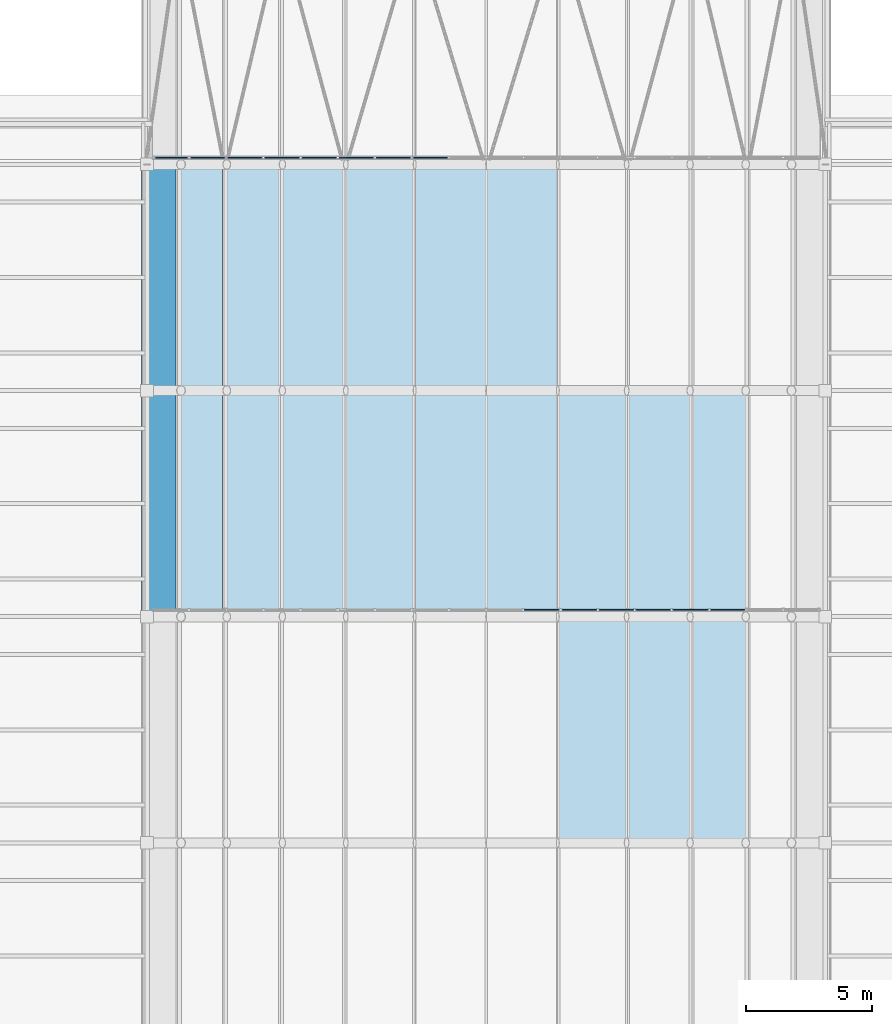
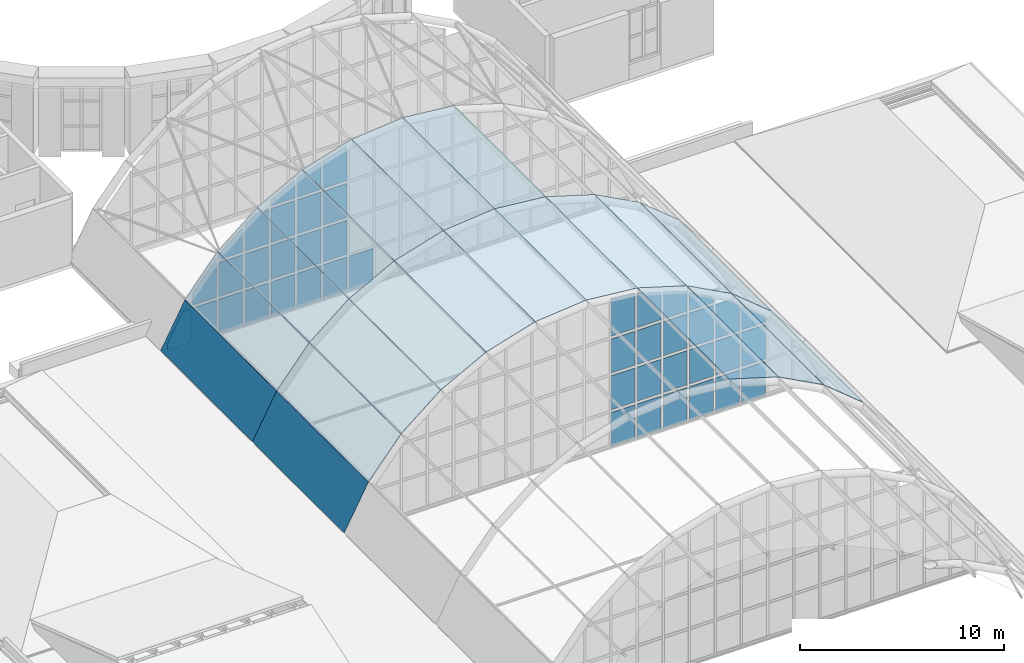
# One storey, part 78 of 121: 64 plates, 2 elements without a shape of their own.
"""IFC4 building model written with IfcOpenShell, lengths in metres."""

from ifc_helpers import new_model, si_unit, direction, frame, origin, place, context, subcontext, project, spatial, polyline, outline, extrude, material, layer, layer_set, type_object, element, aggregate, save


model = new_model("IFC4")

# Units and contexts
model_context = context("Model", 3, precision=1e-05, world=origin(), true_north=direction((0.0, 1.0)))
body_context = subcontext(model_context, "Body", "Model", "MODEL_VIEW")
ifc_project = project(units=[si_unit("LENGTHUNIT", "METRE"), si_unit("AREAUNIT", "SQUARE_METRE"), si_unit("VOLUMEUNIT", "CUBIC_METRE"), si_unit("PLANEANGLEUNIT", "RADIAN"), si_unit("MASSUNIT", "GRAM", prefix="KILO")], contexts=[model_context])

# Site, building, storey
site_placement = place(None, origin())
site = spatial("IfcSite", under=ifc_project, at=site_placement, CompositionType="ELEMENT")
building_placement = place(site_placement, origin())
building = spatial("IfcBuilding", under=site, at=building_placement, Name="Golden Quay Civic Hall", CompositionType="ELEMENT")
storey_placement = place(building_placement, frame((0.0, 0.0, 18.60009765625)))
storey = spatial("IfcBuildingStorey", under=building, at=storey_placement, Name="L04", CompositionType="ELEMENT", Elevation=18.60009765625)

# Curtain wall, plates
ifc_material_1 = material(Name="Fire-resisting glass and steel", Category="steel")
curtain_wall_type = type_object("IfcCurtainWallType", Name="Fire-resisting glazed curtain wall EI 120", PredefinedType="NOTDEFINED", material=ifc_material_1)
curtain_wall_1_placement = place(storey_placement, origin())
curtain_wall_1 = element("IfcCurtainWall", 1, at=curtain_wall_1_placement, inside=storey, type_object=curtain_wall_type, Name="Curtain wall tympanum fire2", PredefinedType="NOTDEFINED")
ifc_material_2 = material(Name="Fire-resisting laminated glass", Category="glass")
ifc_layer_1 = layer(ifc_material_2, 0.0400390625)
ifc_layer_set_1 = layer_set([ifc_layer_1], Name="Fire-resisting glazed panel 40")
plate_type_1 = type_object("IfcPlateType", Name="Fire-resisting glazed panel 40", PredefinedType="CURTAIN_PANEL", material=ifc_layer_set_1)
plate_1_placement = place(storey_placement, frame((88.3955078125, 36.2900390625, -0.130126953125), z_axis=(0.0, 1.0, 0.0), x_axis=(-1.0, 0.0, 0.0)))
plate_1 = element("IfcPlate", 2, at=plate_1_placement, type_object=plate_type_1, Name="Tympanum glass 11.1", PredefinedType="CURTAIN_PANEL", context=body_context, shape_type="SweptSolid", body=[
    extrude(outline(polyline([(0.0, 0.0), (1.357666015625, 0.0), (1.357666015625, 2.02001953125), (0.0, 2.02001953125), (0.0, 0.0)])), origin(), (0.0, 0.0, -1.0), 0.0400390625),
])
plate_2_placement = place(storey_placement, frame((88.3955078125, 36.2900390625, 2.06982421875), z_axis=(0.0, 1.0, 0.0), x_axis=(-1.0, 0.0, 0.0)))
plate_2 = element("IfcPlate", 3, at=plate_2_placement, type_object=plate_type_1, Name="Tympanum glass 11.2", PredefinedType="CURTAIN_PANEL", context=body_context, shape_type="SweptSolid", body=[
    extrude(outline(polyline([(0.0, 0.0), (1.357666015625, 0.0), (1.357666015625, 2.02001953125), (0.0, 2.02001953125), (0.0, 0.0)])), origin(), (0.0, 0.0, -1.0), 0.0400390625),
])
plate_3_placement = place(storey_placement, frame((88.3955078125, 36.2900390625, 4.27001953125), z_axis=(0.0, 1.0, 0.0), x_axis=(-1.0, 0.0, 0.0)))
plate_3 = element("IfcPlate", 4, at=plate_3_placement, type_object=plate_type_1, Name="Tympanum glass 11.3", PredefinedType="CURTAIN_PANEL", context=body_context, shape_type="SweptSolid", body=[
    extrude(outline(polyline([(0.0, 0.0), (1.357666015625, 0.0), (1.357666015625, 2.019775390625), (0.0, 2.019775390625), (0.0, 0.0)])), origin(), (0.0, 0.0, -1.0), 0.0400390625),
])
plate_4_placement = place(storey_placement, frame((88.3955078125, 36.2900390625, 6.469970703125), z_axis=(0.0, 1.0, 0.0), x_axis=(-1.0, 0.0, 0.0)))
plate_4 = element("IfcPlate", 5, at=plate_4_placement, type_object=plate_type_1, Name="Tympanum glass 11.4", PredefinedType="CURTAIN_PANEL", context=body_context, shape_type="SweptSolid", body=[
    extrude(outline(polyline([(0.0, 0.0), (1.357666015625, 0.0), (1.357666015625, 2.254638671875), (0.04736328125, 2.125732421875), (0.0, 2.103271484375), (0.0, 0.0)])), origin(), (0.0, 0.0, -1.0), 0.0400390625),
])
plate_5_placement = place(storey_placement, frame((89.873291015625, 36.2900390625, -0.130126953125), z_axis=(0.0, 1.0, 0.0), x_axis=(-1.0, 0.0, 0.0)))
plate_5 = element("IfcPlate", 6, at=plate_5_placement, type_object=plate_type_1, Name="Tympanum glass 12.1", PredefinedType="CURTAIN_PANEL", context=body_context, shape_type="SweptSolid", body=[
    extrude(outline(polyline([(0.0, 0.0), (1.357666015625, 0.0), (1.357666015625, 2.02001953125), (0.0, 2.02001953125), (0.0, 0.0)])), origin(), (0.0, 0.0, -1.0), 0.0400390625),
])
plate_6_placement = place(storey_placement, frame((89.873291015625, 36.2900390625, 2.06982421875), z_axis=(0.0, 1.0, 0.0), x_axis=(-1.0, 0.0, 0.0)))
plate_6 = element("IfcPlate", 7, at=plate_6_placement, type_object=plate_type_1, Name="Tympanum glass 12.2", PredefinedType="CURTAIN_PANEL", context=body_context, shape_type="SweptSolid", body=[
    extrude(outline(polyline([(0.0, 0.0), (1.357666015625, 0.0), (1.357666015625, 2.02001953125), (0.0, 2.02001953125), (0.0, 0.0)])), origin(), (0.0, 0.0, -1.0), 0.0400390625),
])
plate_7_placement = place(storey_placement, frame((89.873291015625, 36.2900390625, 4.27001953125), z_axis=(0.0, 1.0, 0.0), x_axis=(-1.0, 0.0, 0.0)))
plate_7 = element("IfcPlate", 8, at=plate_7_placement, type_object=plate_type_1, Name="Tympanum glass 12.3", PredefinedType="CURTAIN_PANEL", context=body_context, shape_type="SweptSolid", body=[
    extrude(outline(polyline([(0.0, 0.0), (1.357666015625, 0.0), (1.357666015625, 2.019775390625), (0.0, 2.019775390625), (0.0, 0.0)])), origin(), (0.0, 0.0, -1.0), 0.0400390625),
])
plate_8_placement = place(storey_placement, frame((89.873291015625, 36.2900390625, 6.469970703125), z_axis=(0.0, 1.0, 0.0), x_axis=(-1.0, 0.0, 0.0)))
plate_8 = element("IfcPlate", 9, at=plate_8_placement, type_object=plate_type_1, Name="Tympanum glass 12.4", PredefinedType="CURTAIN_PANEL", context=body_context, shape_type="SweptSolid", body=[
    extrude(outline(polyline([(0.0, 0.0), (1.357666015625, 0.0), (1.357666015625, 2.06689453125), (0.0, 1.65576171875), (0.0, 0.0)])), origin(), (0.0, 0.0, -1.0), 0.0400390625),
])
plate_9_placement = place(storey_placement, frame((91.35107421875, 36.2900390625, -0.130126953125), z_axis=(0.0, 1.0, 0.0), x_axis=(-1.0, 0.0, 0.0)))
plate_9 = element("IfcPlate", 10, at=plate_9_placement, type_object=plate_type_1, Name="Tympanum glass 13.1", PredefinedType="CURTAIN_PANEL", context=body_context, shape_type="SweptSolid", body=[
    extrude(outline(polyline([(0.0, 0.0), (1.357666015625, 0.0), (1.357666015625, 2.02001953125), (0.0, 2.02001953125), (0.0, 0.0)])), origin(), (0.0, 0.0, -1.0), 0.0400390625),
])
plate_10_placement = place(storey_placement, frame((91.35107421875, 36.2900390625, 2.06982421875), z_axis=(0.0, 1.0, 0.0), x_axis=(-1.0, 0.0, 0.0)))
plate_10 = element("IfcPlate", 11, at=plate_10_placement, type_object=plate_type_1, Name="Tympanum glass 13.2", PredefinedType="CURTAIN_PANEL", context=body_context, shape_type="SweptSolid", body=[
    extrude(outline(polyline([(0.0, 0.0), (1.357666015625, 0.0), (1.357666015625, 2.02001953125), (0.0, 2.02001953125), (0.0, 0.0)])), origin(), (0.0, 0.0, -1.0), 0.0400390625),
])
plate_11_placement = place(storey_placement, frame((91.35107421875, 36.2900390625, 4.27001953125), z_axis=(0.0, 1.0, 0.0), x_axis=(-1.0, 0.0, 0.0)))
plate_11 = element("IfcPlate", 12, at=plate_11_placement, type_object=plate_type_1, Name="Tympanum glass 13.3", PredefinedType="CURTAIN_PANEL", context=body_context, shape_type="SweptSolid", body=[
    extrude(outline(polyline([(0.0, 0.0), (1.357666015625, 0.0), (1.357666015625, 2.019775390625), (0.0, 2.019775390625), (0.0, 0.0)])), origin(), (0.0, 0.0, -1.0), 0.0400390625),
])
plate_12_placement = place(storey_placement, frame((91.35107421875, 36.2900390625, 6.469970703125), z_axis=(0.0, 1.0, 0.0), x_axis=(-1.0, 0.0, 0.0)))
plate_12 = element("IfcPlate", 13, at=plate_12_placement, type_object=plate_type_1, Name="Tympanum glass 13.4", PredefinedType="CURTAIN_PANEL", context=body_context, shape_type="SweptSolid", body=[
    extrude(outline(polyline([(0.0, 0.0), (1.357666015625, 0.0), (1.357666015625, 1.619384765625), (0.263671875, 1.288330078125), (0.0, 1.129638671875), (0.0, 0.0)])), origin(), (0.0, 0.0, -1.0), 0.0400390625),
])
plate_13_placement = place(storey_placement, frame((92.828857421875, 36.2900390625, -0.130126953125), z_axis=(0.0, 1.0, 0.0), x_axis=(-1.0, 0.0, 0.0)))
plate_13 = element("IfcPlate", 14, at=plate_13_placement, type_object=plate_type_1, Name="Tympanum glass 14.1", PredefinedType="CURTAIN_PANEL", context=body_context, shape_type="SweptSolid", body=[
    extrude(outline(polyline([(0.0, 0.0), (1.357666015625, 0.0), (1.357666015625, 2.02001953125), (0.0, 2.02001953125), (0.0, 0.0)])), origin(), (0.0, 0.0, -1.0), 0.0400390625),
])
plate_14_placement = place(storey_placement, frame((92.828857421875, 36.2900390625, 2.06982421875), z_axis=(0.0, 1.0, 0.0), x_axis=(-1.0, 0.0, 0.0)))
plate_14 = element("IfcPlate", 15, at=plate_14_placement, type_object=plate_type_1, Name="Tympanum glass 14.2", PredefinedType="CURTAIN_PANEL", context=body_context, shape_type="SweptSolid", body=[
    extrude(outline(polyline([(0.0, 0.0), (1.357666015625, 0.0), (1.357666015625, 2.02001953125), (0.0, 2.02001953125), (0.0, 0.0)])), origin(), (0.0, 0.0, -1.0), 0.0400390625),
])
plate_15_placement = place(storey_placement, frame((92.828857421875, 36.2900390625, 4.27001953125), z_axis=(0.0, 1.0, 0.0), x_axis=(-1.0, 0.0, 0.0)))
plate_15 = element("IfcPlate", 16, at=plate_15_placement, type_object=plate_type_1, Name="Tympanum glass 14.3", PredefinedType="CURTAIN_PANEL", context=body_context, shape_type="SweptSolid", body=[
    extrude(outline(polyline([(0.0, 0.0), (1.357666015625, 0.0), (1.357666015625, 2.019775390625), (0.0, 2.019775390625), (0.0, 0.0)])), origin(), (0.0, 0.0, -1.0), 0.0400390625),
])
plate_16_placement = place(storey_placement, frame((92.828857421875, 36.2900390625, 6.469970703125), z_axis=(0.0, 1.0, 0.0), x_axis=(-1.0, 0.0, 0.0)))
plate_16 = element("IfcPlate", 17, at=plate_16_placement, type_object=plate_type_1, Name="Tympanum glass 14.4", PredefinedType="CURTAIN_PANEL", context=body_context, shape_type="SweptSolid", body=[
    extrude(outline(polyline([(0.0, 0.0), (1.357666015625, 0.0), (1.357666015625, 1.065673828125), (0.0, 0.34130859375), (0.0, 0.0)])), origin(), (0.0, 0.0, -1.0), 0.0400390625),
])
plate_17_placement = place(storey_placement, frame((94.306640625, 36.2900390625, -0.130126953125), z_axis=(0.0, 1.0, 0.0), x_axis=(-1.0, 0.0, 0.0)))
plate_17 = element("IfcPlate", 18, at=plate_17_placement, type_object=plate_type_1, Name="Tympanum glass 15.1", PredefinedType="CURTAIN_PANEL", context=body_context, shape_type="SweptSolid", body=[
    extrude(outline(polyline([(0.0, 0.0), (1.357666015625, 0.0), (1.357666015625, 2.02001953125), (0.0, 2.02001953125), (0.0, 0.0)])), origin(), (0.0, 0.0, -1.0), 0.0400390625),
])
plate_18_placement = place(storey_placement, frame((94.306640625, 36.2900390625, 2.06982421875), z_axis=(0.0, 1.0, 0.0), x_axis=(-1.0, 0.0, 0.0)))
plate_18 = element("IfcPlate", 19, at=plate_18_placement, type_object=plate_type_1, Name="Tympanum glass 15.2", PredefinedType="CURTAIN_PANEL", context=body_context, shape_type="SweptSolid", body=[
    extrude(outline(polyline([(0.0, 0.0), (1.357666015625, 0.0), (1.357666015625, 2.02001953125), (0.0, 2.02001953125), (0.0, 0.0)])), origin(), (0.0, 0.0, -1.0), 0.0400390625),
])
plate_19_placement = place(storey_placement, frame((94.306640625, 36.2900390625, 4.27001953125), z_axis=(0.0, 1.0, 0.0), x_axis=(-1.0, 0.0, 0.0)))
plate_19 = element("IfcPlate", 20, at=plate_19_placement, type_object=plate_type_1, Name="Tympanum glass 15.3", PredefinedType="CURTAIN_PANEL", context=body_context, shape_type="SweptSolid", body=[
    extrude(outline(polyline([(0.0, 0.0), (1.357666015625, 0.0), (1.357666015625, 2.019775390625), (0.57470703125, 2.019775390625), (0.0, 1.522705078125), (0.0, 0.0)])), origin(), (0.0, 0.0, -1.0), 0.0400390625),
])
plate_20_placement = place(storey_placement, frame((95.784423828125, 36.2900390625, -0.130126953125), z_axis=(0.0, 1.0, 0.0), x_axis=(-1.0, 0.0, 0.0)))
plate_20 = element("IfcPlate", 21, at=plate_20_placement, type_object=plate_type_1, Name="Tympanum glass 16.1", PredefinedType="CURTAIN_PANEL", context=body_context, shape_type="SweptSolid", body=[
    extrude(outline(polyline([(0.0, 0.0), (1.357666015625, 0.0), (1.357666015625, 2.02001953125), (0.0, 2.02001953125), (0.0, 0.0)])), origin(), (0.0, 0.0, -1.0), 0.0400390625),
])
plate_21_placement = place(storey_placement, frame((95.784423828125, 36.2900390625, 2.06982421875), z_axis=(0.0, 1.0, 0.0), x_axis=(-1.0, 0.0, 0.0)))
plate_21 = element("IfcPlate", 22, at=plate_21_placement, type_object=plate_type_1, Name="Tympanum glass 16.2", PredefinedType="CURTAIN_PANEL", context=body_context, shape_type="SweptSolid", body=[
    extrude(outline(polyline([(0.0, 0.0), (1.357666015625, 0.0), (1.357666015625, 2.02001953125), (0.0, 2.02001953125), (0.0, 0.0)])), origin(), (0.0, 0.0, -1.0), 0.0400390625),
])
plate_22_placement = place(storey_placement, frame((95.784423828125, 36.2900390625, 4.27001953125), z_axis=(0.0, 1.0, 0.0), x_axis=(-1.0, 0.0, 0.0)))
plate_22 = element("IfcPlate", 23, at=plate_22_placement, type_object=plate_type_1, Name="Tympanum glass 16.3", PredefinedType="CURTAIN_PANEL", context=body_context, shape_type="SweptSolid", body=[
    extrude(outline(polyline([(0.0, 0.0), (1.357666015625, 0.0), (1.357666015625, 1.424560546875), (0.0, 0.31298828125), (0.0, 0.0)])), origin(), (0.0, 0.0, -1.0), 0.0400390625),
])
aggregate(curtain_wall_1, [plate_1, plate_2, plate_3, plate_4, plate_5, plate_6, plate_7, plate_8, plate_9, plate_10, plate_11, plate_12, plate_13, plate_14, plate_15, plate_16, plate_17, plate_18, plate_19, plate_20, plate_21, plate_22])

curtain_wall_2_placement = place(storey_placement, origin())
curtain_wall_2 = element("IfcCurtainWall", 24, at=curtain_wall_2_placement, inside=storey, type_object=curtain_wall_type, Name="Curtain wall tympanum fire3", PredefinedType="NOTDEFINED")
plate_23_placement = place(storey_placement, frame((73.61767578125, 54.2900390625, -0.130126953125), z_axis=(0.0, 1.0, 0.0), x_axis=(-1.0, 0.0, 0.0)))
plate_23 = element("IfcPlate", 25, at=plate_23_placement, type_object=plate_type_1, Name="Tympanum glass 1.1", PredefinedType="CURTAIN_PANEL", context=body_context, shape_type="SweptSolid", body=[
    extrude(outline(polyline([(0.0, 0.0), (1.297607421875, 0.0), (1.297607421875, 0.37646484375), (0.4150390625, 2.02001953125), (0.0, 2.02001953125), (0.0, 0.0)])), origin(), (0.0, 0.0, -1.0), 0.0400390625),
])
plate_24_placement = place(storey_placement, frame((75.095458984375, 54.2900390625, -0.130126953125), z_axis=(0.0, 1.0, 0.0), x_axis=(-1.0, 0.0, 0.0)))
plate_24 = element("IfcPlate", 26, at=plate_24_placement, type_object=plate_type_1, Name="Tympanum glass 2.1", PredefinedType="CURTAIN_PANEL", context=body_context, shape_type="SweptSolid", body=[
    extrude(outline(polyline([(0.0, 0.0), (1.357666015625, 0.0), (1.357666015625, 2.02001953125), (0.0, 2.02001953125), (0.0, 0.0)])), origin(), (0.0, 0.0, -1.0), 0.0400390625),
])
plate_25_placement = place(storey_placement, frame((75.095458984375, 54.2900390625, 2.06982421875), z_axis=(0.0, 1.0, 0.0), x_axis=(-1.0, 0.0, 0.0)))
plate_25 = element("IfcPlate", 27, at=plate_25_placement, type_object=plate_type_1, Name="Tympanum glass 2.2", PredefinedType="CURTAIN_PANEL", context=body_context, shape_type="SweptSolid", body=[
    extrude(outline(polyline([(0.0, 0.0), (1.357666015625, 0.0), (1.357666015625, 0.677978515625), (0.0, 2.3271484375), (0.0, 0.0)])), origin(), (0.0, 0.0, -1.0), 0.0400390625),
])
plate_26_placement = place(storey_placement, frame((76.5732421875, 54.2900390625, -0.130126953125), z_axis=(0.0, 1.0, 0.0), x_axis=(-1.0, 0.0, 0.0)))
plate_26 = element("IfcPlate", 28, at=plate_26_placement, type_object=plate_type_1, Name="Tympanum glass 3.1", PredefinedType="CURTAIN_PANEL", context=body_context, shape_type="SweptSolid", body=[
    extrude(outline(polyline([(0.0, 0.0), (1.357666015625, 0.0), (1.357666015625, 2.02001953125), (0.0, 2.02001953125), (0.0, 0.0)])), origin(), (0.0, 0.0, -1.0), 0.0400390625),
])
plate_27_placement = place(storey_placement, frame((76.5732421875, 54.2900390625, 2.06982421875), z_axis=(0.0, 1.0, 0.0), x_axis=(-1.0, 0.0, 0.0)))
plate_27 = element("IfcPlate", 29, at=plate_27_placement, type_object=plate_type_1, Name="Tympanum glass 3.2", PredefinedType="CURTAIN_PANEL", context=body_context, shape_type="SweptSolid", body=[
    extrude(outline(polyline([(0.0, 0.0), (1.357666015625, 0.0), (1.357666015625, 2.02001953125), (0.0, 2.02001953125), (0.0, 0.0)])), origin(), (0.0, 0.0, -1.0), 0.0400390625),
])
plate_28_placement = place(storey_placement, frame((76.5732421875, 54.2900390625, 4.27001953125), z_axis=(0.0, 1.0, 0.0), x_axis=(-1.0, 0.0, 0.0)))
plate_28 = element("IfcPlate", 30, at=plate_28_placement, type_object=plate_type_1, Name="Tympanum glass 3.3", PredefinedType="CURTAIN_PANEL", context=body_context, shape_type="SweptSolid", body=[
    extrude(outline(polyline([(0.0, 0.0), (1.357666015625, 0.0), (1.357666015625, 0.31298828125), (0.0, 1.424560546875), (0.0, 0.0)])), origin(), (0.0, 0.0, -1.0), 0.0400390625),
])
plate_29_placement = place(storey_placement, frame((78.051025390625, 54.2900390625, -0.130126953125), z_axis=(0.0, 1.0, 0.0), x_axis=(-1.0, 0.0, 0.0)))
plate_29 = element("IfcPlate", 31, at=plate_29_placement, type_object=plate_type_1, Name="Tympanum glass 4.1", PredefinedType="CURTAIN_PANEL", context=body_context, shape_type="SweptSolid", body=[
    extrude(outline(polyline([(0.0, 0.0), (1.357666015625, 0.0), (1.357666015625, 2.02001953125), (0.0, 2.02001953125), (0.0, 0.0)])), origin(), (0.0, 0.0, -1.0), 0.0400390625),
])
plate_30_placement = place(storey_placement, frame((78.051025390625, 54.2900390625, 2.06982421875), z_axis=(0.0, 1.0, 0.0), x_axis=(-1.0, 0.0, 0.0)))
plate_30 = element("IfcPlate", 32, at=plate_30_placement, type_object=plate_type_1, Name="Tympanum glass 4.2", PredefinedType="CURTAIN_PANEL", context=body_context, shape_type="SweptSolid", body=[
    extrude(outline(polyline([(0.0, 0.0), (1.357666015625, 0.0), (1.357666015625, 2.02001953125), (0.0, 2.02001953125), (0.0, 0.0)])), origin(), (0.0, 0.0, -1.0), 0.0400390625),
])
plate_31_placement = place(storey_placement, frame((78.051025390625, 54.2900390625, 4.27001953125), z_axis=(0.0, 1.0, 0.0), x_axis=(-1.0, 0.0, 0.0)))
plate_31 = element("IfcPlate", 33, at=plate_31_placement, type_object=plate_type_1, Name="Tympanum glass 4.3", PredefinedType="CURTAIN_PANEL", context=body_context, shape_type="SweptSolid", body=[
    extrude(outline(polyline([(0.0, 0.0), (1.357666015625, 0.0), (1.357666015625, 1.522705078125), (0.75048828125, 2.019775390625), (0.0, 2.019775390625), (0.0, 0.0)])), origin(), (0.0, 0.0, -1.0), 0.0400390625),
])
plate_32_placement = place(storey_placement, frame((79.52880859375, 54.2900390625, -0.130126953125), z_axis=(0.0, 1.0, 0.0), x_axis=(-1.0, 0.0, 0.0)))
plate_32 = element("IfcPlate", 34, at=plate_32_placement, type_object=plate_type_1, Name="Tympanum glass 5.1", PredefinedType="CURTAIN_PANEL", context=body_context, shape_type="SweptSolid", body=[
    extrude(outline(polyline([(0.0, 0.0), (1.357666015625, 0.0), (1.357666015625, 2.02001953125), (0.0, 2.02001953125), (0.0, 0.0)])), origin(), (0.0, 0.0, -1.0), 0.0400390625),
])
plate_33_placement = place(storey_placement, frame((79.52880859375, 54.2900390625, 2.06982421875), z_axis=(0.0, 1.0, 0.0), x_axis=(-1.0, 0.0, 0.0)))
plate_33 = element("IfcPlate", 35, at=plate_33_placement, type_object=plate_type_1, Name="Tympanum glass 5.2", PredefinedType="CURTAIN_PANEL", context=body_context, shape_type="SweptSolid", body=[
    extrude(outline(polyline([(0.0, 0.0), (1.357666015625, 0.0), (1.357666015625, 2.02001953125), (0.0, 2.02001953125), (0.0, 0.0)])), origin(), (0.0, 0.0, -1.0), 0.0400390625),
])
plate_34_placement = place(storey_placement, frame((79.52880859375, 54.2900390625, 4.27001953125), z_axis=(0.0, 1.0, 0.0), x_axis=(-1.0, 0.0, 0.0)))
plate_34 = element("IfcPlate", 36, at=plate_34_placement, type_object=plate_type_1, Name="Tympanum glass 5.3", PredefinedType="CURTAIN_PANEL", context=body_context, shape_type="SweptSolid", body=[
    extrude(outline(polyline([(0.0, 0.0), (1.357666015625, 0.0), (1.357666015625, 2.019775390625), (0.0, 2.019775390625), (0.0, 0.0)])), origin(), (0.0, 0.0, -1.0), 0.0400390625),
])
plate_35_placement = place(storey_placement, frame((79.52880859375, 54.2900390625, 6.469970703125), z_axis=(0.0, 1.0, 0.0), x_axis=(-1.0, 0.0, 0.0)))
plate_35 = element("IfcPlate", 37, at=plate_35_placement, type_object=plate_type_1, Name="Tympanum glass 5.4", PredefinedType="CURTAIN_PANEL", context=body_context, shape_type="SweptSolid", body=[
    extrude(outline(polyline([(0.0, 0.0), (1.357666015625, 0.0), (1.357666015625, 0.34130859375), (0.0, 1.065673828125), (0.0, 0.0)])), origin(), (0.0, 0.0, -1.0), 0.0400390625),
])
plate_36_placement = place(storey_placement, frame((81.006591796875, 54.2900390625, -0.130126953125), z_axis=(0.0, 1.0, 0.0), x_axis=(-1.0, 0.0, 0.0)))
plate_36 = element("IfcPlate", 38, at=plate_36_placement, type_object=plate_type_1, Name="Tympanum glass 6.1", PredefinedType="CURTAIN_PANEL", context=body_context, shape_type="SweptSolid", body=[
    extrude(outline(polyline([(0.0, 0.0), (1.357666015625, 0.0), (1.357666015625, 2.02001953125), (0.0, 2.02001953125), (0.0, 0.0)])), origin(), (0.0, 0.0, -1.0), 0.0400390625),
])
plate_37_placement = place(storey_placement, frame((81.006591796875, 54.2900390625, 2.06982421875), z_axis=(0.0, 1.0, 0.0), x_axis=(-1.0, 0.0, 0.0)))
plate_37 = element("IfcPlate", 39, at=plate_37_placement, type_object=plate_type_1, Name="Tympanum glass 6.2", PredefinedType="CURTAIN_PANEL", context=body_context, shape_type="SweptSolid", body=[
    extrude(outline(polyline([(0.0, 0.0), (1.357666015625, 0.0), (1.357666015625, 2.02001953125), (0.0, 2.02001953125), (0.0, 0.0)])), origin(), (0.0, 0.0, -1.0), 0.0400390625),
])
plate_38_placement = place(storey_placement, frame((81.006591796875, 54.2900390625, 4.27001953125), z_axis=(0.0, 1.0, 0.0), x_axis=(-1.0, 0.0, 0.0)))
plate_38 = element("IfcPlate", 40, at=plate_38_placement, type_object=plate_type_1, Name="Tympanum glass 6.3", PredefinedType="CURTAIN_PANEL", context=body_context, shape_type="SweptSolid", body=[
    extrude(outline(polyline([(0.0, 0.0), (1.357666015625, 0.0), (1.357666015625, 2.019775390625), (0.0, 2.019775390625), (0.0, 0.0)])), origin(), (0.0, 0.0, -1.0), 0.0400390625),
])
plate_39_placement = place(storey_placement, frame((81.006591796875, 54.2900390625, 6.469970703125), z_axis=(0.0, 1.0, 0.0), x_axis=(-1.0, 0.0, 0.0)))
plate_39 = element("IfcPlate", 41, at=plate_39_placement, type_object=plate_type_1, Name="Tympanum glass 6.4", PredefinedType="CURTAIN_PANEL", context=body_context, shape_type="SweptSolid", body=[
    extrude(outline(polyline([(0.0, 0.0), (1.357666015625, 0.0), (1.357666015625, 1.129638671875), (1.093994140625, 1.270263671875), (0.0, 1.619384765625), (0.0, 0.0)])), origin(), (0.0, 0.0, -1.0), 0.0400390625),
])
plate_40_placement = place(storey_placement, frame((82.484375, 54.2900390625, -0.130126953125), z_axis=(0.0, 1.0, 0.0), x_axis=(-1.0, 0.0, 0.0)))
plate_40 = element("IfcPlate", 42, at=plate_40_placement, type_object=plate_type_1, Name="Tympanum glass 7.1", PredefinedType="CURTAIN_PANEL", context=body_context, shape_type="SweptSolid", body=[
    extrude(outline(polyline([(0.0, 0.0), (1.357666015625, 0.0), (1.357666015625, 2.02001953125), (0.0, 2.02001953125), (0.0, 0.0)])), origin(), (0.0, 0.0, -1.0), 0.0400390625),
])
plate_41_placement = place(storey_placement, frame((82.484375, 54.2900390625, 2.06982421875), z_axis=(0.0, 1.0, 0.0), x_axis=(-1.0, 0.0, 0.0)))
plate_41 = element("IfcPlate", 43, at=plate_41_placement, type_object=plate_type_1, Name="Tympanum glass 7.2", PredefinedType="CURTAIN_PANEL", context=body_context, shape_type="SweptSolid", body=[
    extrude(outline(polyline([(0.0, 0.0), (1.357666015625, 0.0), (1.357666015625, 2.02001953125), (0.0, 2.02001953125), (0.0, 0.0)])), origin(), (0.0, 0.0, -1.0), 0.0400390625),
])
plate_42_placement = place(storey_placement, frame((82.484375, 54.2900390625, 4.27001953125), z_axis=(0.0, 1.0, 0.0), x_axis=(-1.0, 0.0, 0.0)))
plate_42 = element("IfcPlate", 44, at=plate_42_placement, type_object=plate_type_1, Name="Tympanum glass 7.3", PredefinedType="CURTAIN_PANEL", context=body_context, shape_type="SweptSolid", body=[
    extrude(outline(polyline([(0.0, 0.0), (1.357666015625, 0.0), (1.357666015625, 2.019775390625), (0.0, 2.019775390625), (0.0, 0.0)])), origin(), (0.0, 0.0, -1.0), 0.0400390625),
])
plate_43_placement = place(storey_placement, frame((82.484375, 54.2900390625, 6.469970703125), z_axis=(0.0, 1.0, 0.0), x_axis=(-1.0, 0.0, 0.0)))
plate_43 = element("IfcPlate", 45, at=plate_43_placement, type_object=plate_type_1, Name="Tympanum glass 7.4", PredefinedType="CURTAIN_PANEL", context=body_context, shape_type="SweptSolid", body=[
    extrude(outline(polyline([(0.0, 0.0), (1.357666015625, 0.0), (1.357666015625, 1.65576171875), (0.0, 2.06689453125), (0.0, 0.0)])), origin(), (0.0, 0.0, -1.0), 0.0400390625),
])
plate_44_placement = place(storey_placement, frame((83.962158203125, 54.2900390625, -0.130126953125), z_axis=(0.0, 1.0, 0.0), x_axis=(-1.0, 0.0, 0.0)))
plate_44 = element("IfcPlate", 46, at=plate_44_placement, type_object=plate_type_1, Name="Tympanum glass 8.1", PredefinedType="CURTAIN_PANEL", context=body_context, shape_type="SweptSolid", body=[
    extrude(outline(polyline([(0.0, 0.0), (1.357666015625, 0.0), (1.357666015625, 2.02001953125), (0.0, 2.02001953125), (0.0, 0.0)])), origin(), (0.0, 0.0, -1.0), 0.0400390625),
])
aggregate(curtain_wall_2, [plate_23, plate_24, plate_25, plate_26, plate_27, plate_28, plate_29, plate_30, plate_31, plate_32, plate_33, plate_34, plate_35, plate_36, plate_37, plate_38, plate_39, plate_40, plate_41, plate_42, plate_43, plate_44])

# Plates
ifc_material_3 = material(Name="Laminated glass", Category="glass")
ifc_layer_2 = layer(ifc_material_3, 0.030029296875)
ifc_layer_set_2 = layer_set([ifc_layer_2], Name="Laminated vault glazing 30")
plate_type_2 = type_object("IfcPlateType", Name="Laminated vault glazing 30", PredefinedType="SHEET", material=ifc_layer_set_2)
plate_45_placement = place(storey_placement, frame((88.396484375, 27.0, 9.04833984375), z_axis=(0.289755197495, 0.0, 0.957100791727), x_axis=(0.957100791727, 0.0, -0.289755197495)))
element("IfcPlate", 47, at=plate_45_placement, inside=storey, type_object=plate_type_2, Name="Vault glazing 4.8", PredefinedType="SHEET", context=body_context, shape_type="SweptSolid", body=[
    extrude(outline(polyline([(0.0, 0.0), (2.9018299577295465, 0.0), (2.9018299577295465, 9.0), (0.0, 9.0), (0.0, 0.0)])), origin(), (0.0, 0.0, -1.0), 0.030029296875),
])
plate_46_placement = place(storey_placement, frame((91.17919921875, 27.0, 8.205322265625), z_axis=(0.470649370087, 0.0, 0.882320333233), x_axis=(0.882320333233, 0.0, -0.470649370087)))
element("IfcPlate", 48, at=plate_46_placement, inside=storey, type_object=plate_type_2, Name="Vault glazing 4.9", PredefinedType="SHEET", context=body_context, shape_type="SweptSolid", body=[
    extrude(outline(polyline([(0.0, 0.0), (2.901783669649179, 0.0), (2.901783669649179, 9.0), (0.0, 9.0), (0.0, 0.0)])), origin(), (0.0, 0.0, -1.0), 0.030029296875),
])
plate_47_placement = place(storey_placement, frame((93.744384765625, 27.0, 6.83642578125), z_axis=(0.633448519494, 0.0, 0.77378483647), x_axis=(0.77378483647, 0.0, -0.633448519494)))
element("IfcPlate", 49, at=plate_47_placement, inside=storey, type_object=plate_type_2, Name="Vault glazing 4.10", PredefinedType="SHEET", context=body_context, shape_type="SweptSolid", body=[
    extrude(outline(polyline([(0.0, 0.0), (2.901790294014807, 0.0), (2.901790294014807, 9.0), (0.0, 9.0), (0.0, 0.0)])), origin(), (0.0, 0.0, -1.0), 0.030029296875),
])
plate_48_placement = place(storey_placement, frame((71.78564453125, 36.0, 0.1923828125), z_axis=(-0.881024300134, 0.0, 0.47307101219), x_axis=(0.47307101219, 0.0, 0.881024300134)))
element("IfcPlate", 50, at=plate_48_placement, inside=storey, type_object=plate_type_2, Name="Vault glazing 5.1", PredefinedType="SHEET", context=body_context, shape_type="SweptSolid", body=[
    extrude(outline(polyline([(0.0, 0.0), (2.9018956964211977, 0.0), (2.9018956964211977, 9.0), (0.0, 9.0), (0.0, 0.0)])), origin(), (0.0, 0.0, -1.0), 0.030029296875),
])
plate_49_placement = place(storey_placement, frame((73.16162109375, 36.0, 2.75390625), z_axis=(-0.7720006594, 0.0, 0.635621728614), x_axis=(0.635621728614, 0.0, 0.7720006594)))
element("IfcPlate", 51, at=plate_49_placement, inside=storey, type_object=plate_type_2, Name="Vault glazing 5.2", PredefinedType="SHEET", context=body_context, shape_type="SweptSolid", body=[
    extrude(outline(polyline([(0.0, 0.0), (2.901855520100459, 0.0), (2.901855520100459, 9.0), (0.0, 9.0), (0.0, 0.0)])), origin(), (0.0, 0.0, -1.0), 0.030029296875),
])
plate_50_placement = place(storey_placement, frame((75.01025390625, 36.0, 4.998291015625), z_axis=(-0.633448519494, 0.0, 0.77378483647), x_axis=(0.77378483647, 0.0, 0.633448519494)))
element("IfcPlate", 52, at=plate_50_placement, inside=storey, type_object=plate_type_2, Name="Vault glazing 5.3", PredefinedType="SHEET", context=body_context, shape_type="SweptSolid", body=[
    extrude(outline(polyline([(0.0, 0.0), (2.901790294014807, 0.0), (2.901790294014807, 9.0), (0.0, 9.0), (0.0, 0.0)])), origin(), (0.0, 0.0, -1.0), 0.030029296875),
])
plate_51_placement = place(storey_placement, frame((77.260498046875, 36.0, 6.839599609375), z_axis=(-0.470649370087, 0.0, 0.882320333233), x_axis=(0.882320333233, 0.0, 0.470649370087)))
element("IfcPlate", 53, at=plate_51_placement, inside=storey, type_object=plate_type_2, Name="Vault glazing 5.4", PredefinedType="SHEET", context=body_context, shape_type="SweptSolid", body=[
    extrude(outline(polyline([(0.0, 0.0), (2.901783669649179, 0.0), (2.901783669649179, 9.0), (0.0, 9.0), (0.0, 0.0)])), origin(), (0.0, 0.0, -1.0), 0.030029296875),
])
plate_52_placement = place(storey_placement, frame((79.826171875, 36.0, 8.20751953125), z_axis=(-0.289755197495, 0.0, 0.957100791727), x_axis=(0.957100791727, 0.0, 0.289755197495)))
element("IfcPlate", 54, at=plate_52_placement, inside=storey, type_object=plate_type_2, Name="Vault glazing 5.5", PredefinedType="SHEET", context=body_context, shape_type="SweptSolid", body=[
    extrude(outline(polyline([(0.0, 0.0), (2.9018299577295465, 0.0), (2.9018299577295465, 9.0), (0.0, 9.0), (0.0, 0.0)])), origin(), (0.0, 0.0, -1.0), 0.030029296875),
])
for number, where, z_axis, x_axis, name in (
    (55, (82.609130859375, 36.0, 9.049560546875), (-0.09784592374, 0.0, 0.995201575163), (0.995201575163, 0.0, 0.09784592374), "Vault glazing 5.6"),
    (56, (85.5029296875, 36.0, 9.33349609375), (0.09784592374, 0.0, 0.995201575163), (0.995201575163, 0.0, -0.09784592374), "Vault glazing 5.7"),
):
    element("IfcPlate", number, at=place(storey_placement, frame(where, z_axis=z_axis, x_axis=x_axis)), inside=storey, type_object=plate_type_2, Name=name, PredefinedType="SHEET", context=body_context, shape_type="SweptSolid", body=[
        extrude(outline(polyline([(0.0, 0.0), (2.901863828592777, 0.0), (2.901863828592777, 9.0), (0.0, 9.0), (0.0, 0.0)])), origin(), (0.0, 0.0, -1.0), 0.030029296875),
    ])
plate_53_placement = place(storey_placement, frame((88.396484375, 36.0, 9.04833984375), z_axis=(0.289755197495, 0.0, 0.957100791727), x_axis=(0.957100791727, 0.0, -0.289755197495)))
element("IfcPlate", 57, at=plate_53_placement, inside=storey, type_object=plate_type_2, Name="Vault glazing 5.8", PredefinedType="SHEET", context=body_context, shape_type="SweptSolid", body=[
    extrude(outline(polyline([(0.0, 0.0), (2.9018299577295465, 0.0), (2.9018299577295465, 9.0), (0.0, 9.0), (0.0, 0.0)])), origin(), (0.0, 0.0, -1.0), 0.030029296875),
])
plate_54_placement = place(storey_placement, frame((91.17919921875, 36.0, 8.205322265625), z_axis=(0.470649370087, 0.0, 0.882320333233), x_axis=(0.882320333233, 0.0, -0.470649370087)))
element("IfcPlate", 58, at=plate_54_placement, inside=storey, type_object=plate_type_2, Name="Vault glazing 5.9", PredefinedType="SHEET", context=body_context, shape_type="SweptSolid", body=[
    extrude(outline(polyline([(0.0, 0.0), (2.901783669649179, 0.0), (2.901783669649179, 9.0), (0.0, 9.0), (0.0, 0.0)])), origin(), (0.0, 0.0, -1.0), 0.030029296875),
])
plate_55_placement = place(storey_placement, frame((93.744384765625, 36.0, 6.83642578125), z_axis=(0.633448519494, 0.0, 0.77378483647), x_axis=(0.77378483647, 0.0, -0.633448519494)))
element("IfcPlate", 59, at=plate_55_placement, inside=storey, type_object=plate_type_2, Name="Vault glazing 5.10", PredefinedType="SHEET", context=body_context, shape_type="SweptSolid", body=[
    extrude(outline(polyline([(0.0, 0.0), (2.901790294014807, 0.0), (2.901790294014807, 9.0), (0.0, 9.0), (0.0, 0.0)])), origin(), (0.0, 0.0, -1.0), 0.030029296875),
])
plate_56_placement = place(storey_placement, frame((71.78564453125, 45.0, 0.1923828125), z_axis=(-0.881024300134, 0.0, 0.47307101219), x_axis=(0.47307101219, 0.0, 0.881024300134)))
element("IfcPlate", 60, at=plate_56_placement, inside=storey, type_object=plate_type_2, Name="Vault glazing 6.1", PredefinedType="SHEET", context=body_context, shape_type="SweptSolid", body=[
    extrude(outline(polyline([(0.0, 0.0), (2.9018956964211977, 0.0), (2.9018956964211977, 9.0), (0.0, 9.0), (0.0, 0.0)])), origin(), (0.0, 0.0, -1.0), 0.030029296875),
])
plate_57_placement = place(storey_placement, frame((73.16162109375, 45.0, 2.75390625), z_axis=(-0.7720006594, 0.0, 0.635621728614), x_axis=(0.635621728614, 0.0, 0.7720006594)))
element("IfcPlate", 61, at=plate_57_placement, inside=storey, type_object=plate_type_2, Name="Vault glazing 6.2", PredefinedType="SHEET", context=body_context, shape_type="SweptSolid", body=[
    extrude(outline(polyline([(0.0, 0.0), (2.901855520100459, 0.0), (2.901855520100459, 9.0), (0.0, 9.0), (0.0, 0.0)])), origin(), (0.0, 0.0, -1.0), 0.030029296875),
])
plate_58_placement = place(storey_placement, frame((75.01025390625, 45.0, 4.998291015625), z_axis=(-0.633448519494, 0.0, 0.77378483647), x_axis=(0.77378483647, 0.0, 0.633448519494)))
element("IfcPlate", 62, at=plate_58_placement, inside=storey, type_object=plate_type_2, Name="Vault glazing 6.3", PredefinedType="SHEET", context=body_context, shape_type="SweptSolid", body=[
    extrude(outline(polyline([(0.0, 0.0), (2.901790294014807, 0.0), (2.901790294014807, 9.0), (0.0, 9.0), (0.0, 0.0)])), origin(), (0.0, 0.0, -1.0), 0.030029296875),
])
plate_59_placement = place(storey_placement, frame((77.260498046875, 45.0, 6.839599609375), z_axis=(-0.470649370087, 0.0, 0.882320333233), x_axis=(0.882320333233, 0.0, 0.470649370087)))
element("IfcPlate", 63, at=plate_59_placement, inside=storey, type_object=plate_type_2, Name="Vault glazing 6.4", PredefinedType="SHEET", context=body_context, shape_type="SweptSolid", body=[
    extrude(outline(polyline([(0.0, 0.0), (2.901783669649179, 0.0), (2.901783669649179, 9.0), (0.0, 9.0), (0.0, 0.0)])), origin(), (0.0, 0.0, -1.0), 0.030029296875),
])
plate_60_placement = place(storey_placement, frame((79.826171875, 45.0, 8.20751953125), z_axis=(-0.289755197495, 0.0, 0.957100791727), x_axis=(0.957100791727, 0.0, 0.289755197495)))
element("IfcPlate", 64, at=plate_60_placement, inside=storey, type_object=plate_type_2, Name="Vault glazing 6.5", PredefinedType="SHEET", context=body_context, shape_type="SweptSolid", body=[
    extrude(outline(polyline([(0.0, 0.0), (2.9018299577295465, 0.0), (2.9018299577295465, 9.0), (0.0, 9.0), (0.0, 0.0)])), origin(), (0.0, 0.0, -1.0), 0.030029296875),
])
for number, where, z_axis, x_axis, name in (
    (65, (82.609130859375, 45.0, 9.049560546875), (-0.09784592374, 0.0, 0.995201575163), (0.995201575163, 0.0, 0.09784592374), "Vault glazing 6.6"),
    (66, (85.5029296875, 45.0, 9.33349609375), (0.09784592374, 0.0, 0.995201575163), (0.995201575163, 0.0, -0.09784592374), "Vault glazing 6.7"),
):
    element("IfcPlate", number, at=place(storey_placement, frame(where, z_axis=z_axis, x_axis=x_axis)), inside=storey, type_object=plate_type_2, Name=name, PredefinedType="SHEET", context=body_context, shape_type="SweptSolid", body=[
        extrude(outline(polyline([(0.0, 0.0), (2.901863828592777, 0.0), (2.901863828592777, 9.0), (0.0, 9.0), (0.0, 0.0)])), origin(), (0.0, 0.0, -1.0), 0.030029296875),
    ])

save(model, "model.ifc")
